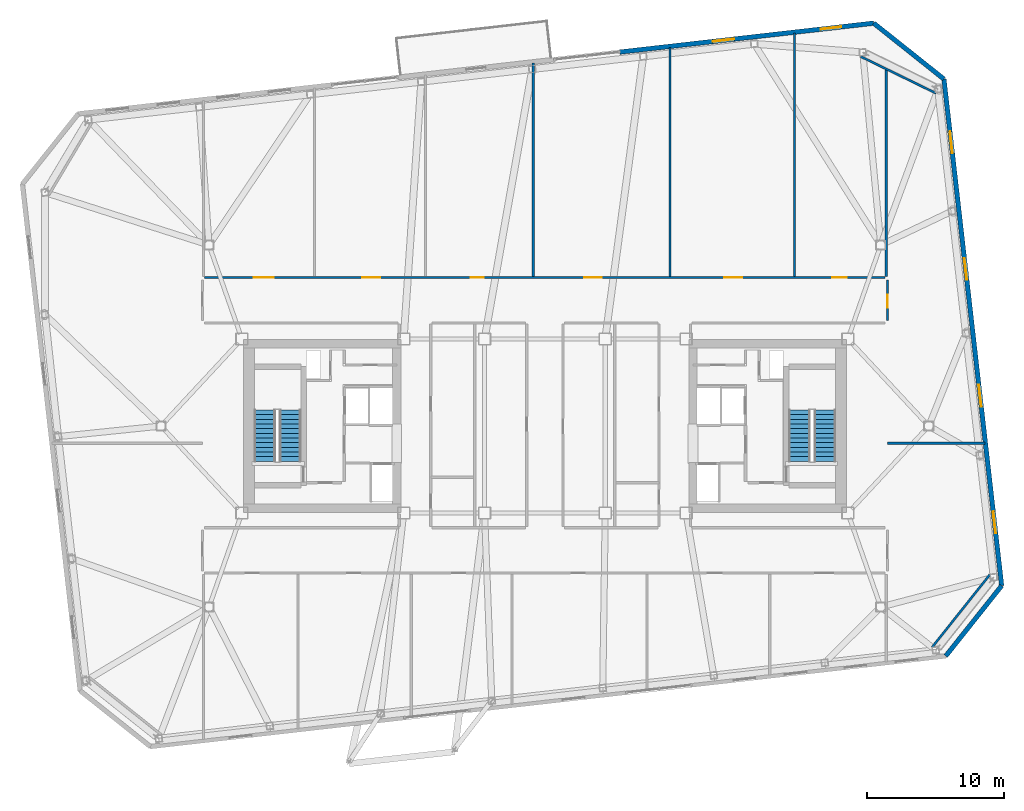
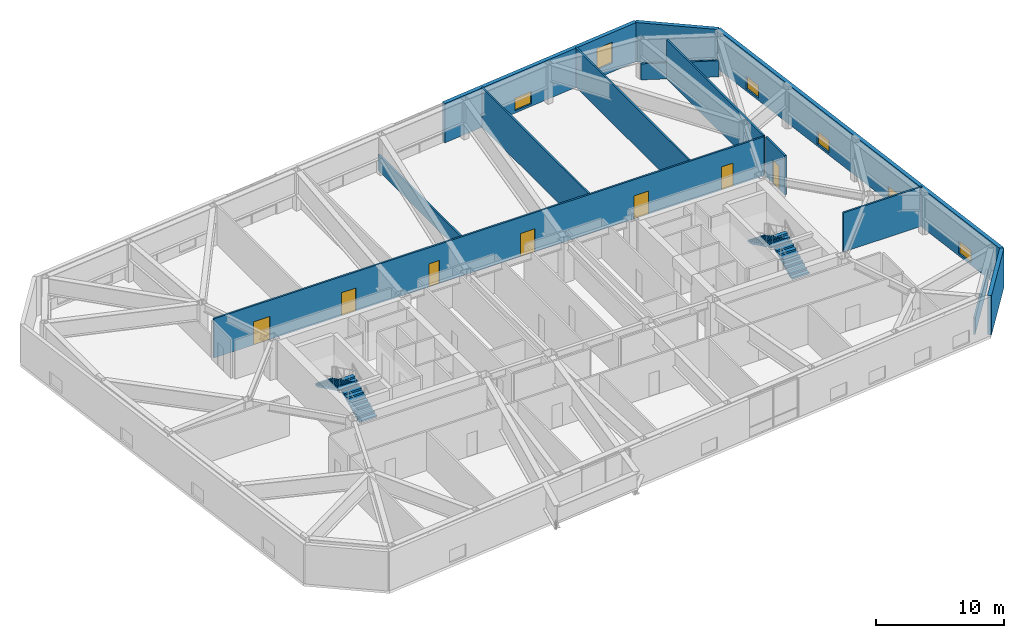
# One storey, part 15 of 20: 13 walls, 7 doors, 6 windows, 4 stair flights, 13 openings, 2 elements without a shape of their own.
"""IFC4 building model written with IfcOpenShell, lengths in metres."""

from ifc_helpers import new_model, si_unit, direction, frame, frame_2d, origin, place, context, subcontext, project, spatial, polyline, rectangle, outline, extrude, material, layer, layer_set, type_object, element, fill, aggregate, save


model = new_model("IFC4")

# Units and contexts
model_context = context("Model", 3, precision=1e-05, world=origin(), true_north=direction((0.0, 1.0)))
body_context = subcontext(model_context, "Body", "Model", "MODEL_VIEW")
ifc_project = project(units=[si_unit("LENGTHUNIT", "METRE"), si_unit("AREAUNIT", "SQUARE_METRE"), si_unit("VOLUMEUNIT", "CUBIC_METRE"), si_unit("PLANEANGLEUNIT", "RADIAN"), si_unit("MASSUNIT", "GRAM", prefix="KILO")], contexts=[model_context])

# Site, building, storey
site_placement = place(None, origin())
site = spatial("IfcSite", under=ifc_project, at=site_placement, CompositionType="ELEMENT")
building_placement = place(site_placement, origin())
building = spatial("IfcBuilding", under=site, at=building_placement, Name="Tavrogorsk Clinical Tower", CompositionType="ELEMENT")
storey_placement = place(building_placement, frame((0.0, 0.0, 214.199951171875)))
storey = spatial("IfcBuildingStorey", under=building, at=storey_placement, Name="L49", CompositionType="ELEMENT", Elevation=214.199951171875)

# Walls
ifc_material_1 = material(Name="Lightweight concrete blockwork B15", Category="masonry")
ifc_layer_1 = layer(ifc_material_1, 0.159912109375)
ifc_layer_set_1 = layer_set([ifc_layer_1], Name="Lightweight concrete blockwork B15")
wall_type_1 = type_object("IfcWallType", Name="PartitionWall_160", PredefinedType="PARTITIONING", material=ifc_layer_set_1)
wall_1_placement = place(storey_placement, frame((28.242431640625, -16.1337890625, 0.0), z_axis=(0.0, 0.0, 1.0), x_axis=(0.622521563328, 0.782602647064, 0.0)))
element("IfcWall", 1, at=wall_1_placement, inside=storey, type_object=wall_type_1, Name="L49 Corner Exoskeleton Brace Furring Wall 1", PredefinedType="PARTITIONING", context=body_context, shape_type="SweptSolid", body=[
    extrude(rectangle(XDim=6.788330078125, YDim=0.159912109375, at=frame_2d((3.39404296875, 0.0))), origin(), (0.0, 0.0, 1.0), 1.53515625),
])
wall_2_placement = place(storey_placement, frame((28.5283203125, 24.27099609375, 0.0), z_axis=(0.0, 0.0, 1.0), x_axis=(-0.898820692789, 0.438316509173, 0.0)))
element("IfcWall", 2, at=wall_2_placement, inside=storey, type_object=wall_type_1, Name="L49 Corner Exoskeleton Brace Furring Wall 2", PredefinedType="PARTITIONING", context=body_context, shape_type="SweptSolid", body=[
    extrude(rectangle(XDim=6.10693359375, YDim=0.159912109375, at=frame_2d((3.053466796875, 0.0))), origin(), (0.0, 0.0, 1.0), 1.53515625),
])

# Wall, openings, doors
wall_3_placement = place(storey_placement, frame((-24.81494140625, 10.830078125, 0.0), z_axis=(0.0, 0.0, 1.0), x_axis=(1.0, 0.0, 0.0)))
wall_3 = element("IfcWall", 3, at=wall_3_placement, inside=storey, type_object=wall_type_1, Name="L49 Corridor Partition 07", PredefinedType="PARTITIONING", context=body_context, shape_type="SweptSolid", body=[
    extrude(rectangle(XDim=49.6298828125, YDim=0.159912109375, at=frame_2d((24.81494140625, 0.0))), origin(), (0.0, 0.0, 1.0), 3.739990234375),
])
opening_1_placement = place(wall_3_placement, frame((3.593994140625, 0.0, 0.0)))
opening_1 = element("IfcOpeningElement", 4, at=opening_1_placement, cuts=wall_3, Name="Opening ID-05", PredefinedType="OPENING", context=body_context, shape_type="SweptSolid", body=[
    extrude(rectangle(XDim=1.449951171875, YDim=2.199951171875, at=frame_2d((0.72509765625, 1.10009765625))), frame((0.0, 0.08984375, 0.0), z_axis=(0.0, -1.0, 0.0), x_axis=(1.0, 0.0, 0.0)), (0.0, 0.0, 1.0), 0.179931640625),
])
opening_2_placement = place(wall_3_placement, frame((11.5, 0.0, 0.0)))
opening_2 = element("IfcOpeningElement", 5, at=opening_2_placement, cuts=wall_3, Name="Opening ID-01", PredefinedType="OPENING", context=body_context, shape_type="SweptSolid", body=[
    extrude(rectangle(XDim=1.300048828125, YDim=2.199951171875, at=frame_2d((0.64990234375, 1.10009765625))), frame((0.0, 0.08984375, 0.0), z_axis=(0.0, -1.0, 0.0), x_axis=(1.0, 0.0, 0.0)), (0.0, 0.0, 1.0), 0.179931640625),
])
opening_3_placement = place(wall_3_placement, frame((19.409912109375, 0.0, 0.0)))
opening_3 = element("IfcOpeningElement", 6, at=opening_3_placement, cuts=wall_3, Name="Opening ID-02", PredefinedType="OPENING", context=body_context, shape_type="SweptSolid", body=[
    extrude(rectangle(XDim=0.949951171875, YDim=2.199951171875, at=frame_2d((0.47509765625, 1.10009765625))), frame((0.0, 0.08984375, 0.0), z_axis=(0.0, -1.0, 0.0), x_axis=(1.0, 0.0, 0.0)), (0.0, 0.0, 1.0), 0.179931640625),
])
opening_4_placement = place(wall_3_placement, frame((27.66748046875, 0.0, 0.0)))
opening_4 = element("IfcOpeningElement", 7, at=opening_4_placement, cuts=wall_3, Name="Opening ID-01", PredefinedType="OPENING", context=body_context, shape_type="SweptSolid", body=[
    extrude(rectangle(XDim=1.300048828125, YDim=2.199951171875, at=frame_2d((0.64990234375, 1.10009765625))), frame((0.0, 0.08984375, 0.0), z_axis=(0.0, -1.0, 0.0), x_axis=(1.0, 0.0, 0.0)), (0.0, 0.0, 1.0), 0.179931640625),
])
opening_5_placement = place(wall_3_placement, frame((37.91259765625, 0.0, 0.0)))
opening_5 = element("IfcOpeningElement", 8, at=opening_5_placement, cuts=wall_3, Name="Opening ID-01", PredefinedType="OPENING", context=body_context, shape_type="SweptSolid", body=[
    extrude(rectangle(XDim=1.300048828125, YDim=2.199951171875, at=frame_2d((0.64990234375, 1.10009765625))), frame((0.0, 0.08984375, 0.0), z_axis=(0.0, -1.0, 0.0), x_axis=(1.0, 0.0, 0.0)), (0.0, 0.0, 1.0), 0.179931640625),
])
opening_6_placement = place(wall_3_placement, frame((45.781005859375, 0.0, 0.0)))
opening_6 = element("IfcOpeningElement", 9, at=opening_6_placement, cuts=wall_3, Name="Opening ID-04", PredefinedType="OPENING", context=body_context, shape_type="SweptSolid", body=[
    extrude(rectangle(XDim=1.050048828125, YDim=2.199951171875, at=frame_2d((0.52490234375, 1.10009765625))), frame((0.0, 0.08984375, 0.0), z_axis=(0.0, -1.0, 0.0), x_axis=(1.0, 0.0, 0.0)), (0.0, 0.0, 1.0), 0.179931640625),
])
ifc_material_2 = material(Name="Antibacterial HPL consultation door on aluminium frame", Category="aluminium")
door_type_1 = type_object("IfcDoorType", Name="ConsultDoor_ID04_1050", OperationType="NOTDEFINED", PredefinedType="DOOR", material=ifc_material_2)
door_1_placement = place(opening_6_placement, origin())
door_1 = element("IfcDoor", 10, at=door_1_placement, inside=storey, type_object=door_type_1, Name="L49 North Clinical Examination Suite 05 Door", OperationType="SINGLE_SWING_RIGHT", OverallHeight=2.199951171875, OverallWidth=1.050048828125, PredefinedType="DOOR", context=body_context, shape_type="SweptSolid", body=[
    extrude(rectangle(XDim=1.050048828125, YDim=2.199951171875, at=frame_2d((0.52490234375, 1.10009765625))), frame((0.0, 0.02490234375, 0.0), z_axis=(0.0, -1.0, 0.0), x_axis=(1.0, 0.0, 0.0)), (0.0, 0.0, 1.0), 0.050048828125),
])
fill(opening_6, door_1)
ifc_material_3 = material(Name="Antibacterial HPL bariatric ward double door")
door_type_2 = type_object("IfcDoorType", Name="DoubleWardDoor_ID05_1450", OperationType="DOUBLE_SWING_LEFT", PredefinedType="DOOR", material=ifc_material_3)
door_2_placement = place(opening_1_placement, origin())
door_2 = element("IfcDoor", 11, at=door_2_placement, inside=storey, type_object=door_type_2, Name="L49 North Acute Isolation Suite 01 Door", OperationType="DOUBLE_SWING_LEFT", OverallHeight=2.199951171875, OverallWidth=1.449951171875, PredefinedType="DOOR", context=body_context, shape_type="SweptSolid", body=[
    extrude(rectangle(XDim=1.449951171875, YDim=2.199951171875, at=frame_2d((0.72509765625, 1.10009765625))), frame((0.0, 0.02490234375, 0.0), z_axis=(0.0, -1.0, 0.0), x_axis=(1.0, 0.0, 0.0)), (0.0, 0.0, 1.0), 0.050048828125),
])
fill(opening_1, door_2)
ifc_material_4 = material(Name="Laminated timber leaf on aluminium frame", Category="wood")
door_type_3 = type_object("IfcDoorType", Name="InteriorDoor_ID02_950", OperationType="NOTDEFINED", PredefinedType="DOOR", material=ifc_material_4)
door_3_placement = place(opening_3_placement, origin())
door_3 = element("IfcDoor", 12, at=door_3_placement, inside=storey, type_object=door_type_3, Name="L49 Terrace Recuperation Day Room & Lounge Door", OperationType="SINGLE_SWING_LEFT", OverallHeight=2.199951171875, OverallWidth=0.949951171875, PredefinedType="DOOR", context=body_context, shape_type="SweptSolid", body=[
    extrude(rectangle(XDim=0.949951171875, YDim=2.199951171875, at=frame_2d((0.47509765625, 1.10009765625))), frame((0.0, 0.02490234375, 0.0), z_axis=(0.0, -1.0, 0.0), x_axis=(1.0, 0.0, 0.0)), (0.0, 0.0, 1.0), 0.050048828125),
])
fill(opening_3, door_3)
ifc_material_5 = material(Name="Antibacterial HPL medical leaf on aluminium frame", Category="aluminium")
door_type_4 = type_object("IfcDoorType", Name="WardBedDoor_ID01_1300", OperationType="NOTDEFINED", PredefinedType="DOOR", material=ifc_material_5)
door_4_placement = place(opening_2_placement, origin())
door_4 = element("IfcDoor", 13, at=door_4_placement, inside=storey, type_object=door_type_4, Name="L49 North Sub-Acute Recovery Ward 02 Door", OperationType="SINGLE_SWING_RIGHT", OverallHeight=2.199951171875, OverallWidth=1.300048828125, PredefinedType="DOOR", context=body_context, shape_type="SweptSolid", body=[
    extrude(rectangle(XDim=1.300048828125, YDim=2.199951171875, at=frame_2d((0.64990234375, 1.10009765625))), frame((0.0, 0.02490234375, 0.0), z_axis=(0.0, -1.0, 0.0), x_axis=(1.0, 0.0, 0.0)), (0.0, 0.0, 1.0), 0.050048828125),
])
fill(opening_2, door_4)
door_5_placement = place(opening_4_placement, origin())
door_5 = element("IfcDoor", 14, at=door_5_placement, inside=storey, type_object=door_type_4, Name="L49 North Inpatient Clinical Ward 04A Door", OperationType="SINGLE_SWING_RIGHT", OverallHeight=2.199951171875, OverallWidth=1.300048828125, PredefinedType="DOOR", context=body_context, shape_type="SweptSolid", body=[
    extrude(rectangle(XDim=1.300048828125, YDim=2.199951171875, at=frame_2d((0.64990234375, 1.10009765625))), frame((0.0, 0.02490234375, 0.0), z_axis=(0.0, -1.0, 0.0), x_axis=(1.0, 0.0, 0.0)), (0.0, 0.0, 1.0), 0.050048828125),
])
fill(opening_4, door_5)
door_6_placement = place(opening_5_placement, origin())
door_6 = element("IfcDoor", 15, at=door_6_placement, inside=storey, type_object=door_type_4, Name="L49 North Acute Isolation Suite 04B Door", OperationType="SINGLE_SWING_LEFT", OverallHeight=2.199951171875, OverallWidth=1.300048828125, PredefinedType="DOOR", context=body_context, shape_type="SweptSolid", body=[
    extrude(rectangle(XDim=1.300048828125, YDim=2.199951171875, at=frame_2d((0.64990234375, 1.10009765625))), frame((0.0, 0.02490234375, 0.0), z_axis=(0.0, -1.0, 0.0), x_axis=(1.0, 0.0, 0.0)), (0.0, 0.0, 1.0), 0.050048828125),
])
fill(opening_5, door_6)

# Wall, opening, door
wall_4_placement = place(storey_placement, frame((24.97998046875, 10.6650390625, 0.0), z_axis=(0.0, 0.0, 1.0), x_axis=(0.0, -1.0, 0.0)))
wall_4 = element("IfcWall", 16, at=wall_4_placement, inside=storey, type_object=wall_type_1, Name="L49 Corridor Partition 08", PredefinedType="PARTITIONING", context=body_context, shape_type="SweptSolid", body=[
    extrude(rectangle(XDim=2.97998046875, YDim=0.159912109375, at=frame_2d((1.489990234375, 0.0))), origin(), (0.0, 0.0, 1.0), 3.739990234375),
])
opening_7_placement = place(wall_4_placement, frame((1.10009765625, 0.0, 0.0)))
opening_7 = element("IfcOpeningElement", 17, at=opening_7_placement, cuts=wall_4, Name="Opening ID-02", PredefinedType="OPENING", context=body_context, shape_type="SweptSolid", body=[
    extrude(rectangle(XDim=0.949951171875, YDim=2.199951171875, at=frame_2d((0.47509765625, 1.10009765625))), frame((0.0, 0.08984375, 0.0), z_axis=(0.0, -1.0, 0.0), x_axis=(1.0, 0.0, 0.0)), (0.0, 0.0, 1.0), 0.179931640625),
])
door_7_placement = place(opening_7_placement, origin())
door_7 = element("IfcDoor", 18, at=door_7_placement, inside=storey, type_object=door_type_3, Name="L49 E Multidisciplinary Seminar Suite 2 Door", OperationType="SINGLE_SWING_RIGHT", OverallHeight=2.199951171875, OverallWidth=0.949951171875, PredefinedType="DOOR", context=body_context, shape_type="SweptSolid", body=[
    extrude(rectangle(XDim=0.949951171875, YDim=2.199951171875, at=frame_2d((0.47509765625, 1.10009765625))), frame((0.0, 0.02490234375, 0.0), z_axis=(0.0, -1.0, 0.0), x_axis=(1.0, 0.0, 0.0)), (0.0, 0.0, 1.0), 0.050048828125),
])
fill(opening_7, door_7)

# Walls
wall_5_placement = place(storey_placement, frame((24.89990234375, 10.9150390625, 0.0), z_axis=(0.0, 0.0, 1.0), x_axis=(0.0, 1.0, 0.0)))
element("IfcWall", 19, at=wall_5_placement, inside=storey, type_object=wall_type_1, Name="L49 NE Wing Closure Partition", PredefinedType="PARTITIONING", context=body_context, shape_type="SweptSolid", body=[
    extrude(rectangle(XDim=15.12939453125, YDim=0.159912109375, at=frame_2d((7.564697265625, 0.0))), origin(), (0.0, 0.0, 1.0), 3.739990234375),
])
wall_6_placement = place(storey_placement, frame((-0.85009765625, 10.9150390625, 0.0), z_axis=(0.0, 0.0, 1.0), x_axis=(0.0, 1.0, 0.0)))
element("IfcWall", 20, at=wall_6_placement, inside=storey, type_object=wall_type_1, Name="L49 North Room Partition 3", PredefinedType="PARTITIONING", context=body_context, shape_type="SweptSolid", body=[
    extrude(rectangle(XDim=15.5712890625, YDim=0.159912109375, at=frame_2d((7.78564453125, 0.0))), origin(), (0.0, 0.0, 1.0), 1.53515625),
])
wall_7_placement = place(storey_placement, frame((18.199951171875, 10.9150390625, 0.0), z_axis=(0.0, 0.0, 1.0), x_axis=(0.0, 1.0, 0.0)))
element("IfcWall", 21, at=wall_7_placement, inside=storey, type_object=wall_type_1, Name="L49 North Room Partition 4", PredefinedType="PARTITIONING", context=body_context, shape_type="SweptSolid", body=[
    extrude(rectangle(XDim=17.741943359375, YDim=0.159912109375, at=frame_2d((8.87109375, 0.0))), origin(), (0.0, 0.0, 1.0), 3.739990234375),
])
wall_8_placement = place(storey_placement, frame((9.125, 10.9150390625, 0.0), z_axis=(0.0, 0.0, 1.0), x_axis=(0.0, 1.0, 0.0)))
element("IfcWall", 22, at=wall_8_placement, inside=storey, type_object=wall_type_1, Name="L49 North Sub-Partition 4", PredefinedType="PARTITIONING", context=body_context, shape_type="SweptSolid", body=[
    extrude(rectangle(XDim=16.707763671875, YDim=0.159912109375, at=frame_2d((8.35400390625, 0.0))), origin(), (0.0, 0.0, 1.0), 3.739990234375),
])
wall_9_placement = place(storey_placement, frame((24.97998046875, -1.25, 0.0), z_axis=(0.0, 0.0, 1.0), x_axis=(1.0, 0.0, 0.0)))
element("IfcWall", 23, at=wall_9_placement, inside=storey, type_object=wall_type_1, Name="L49 E Wing Divider 1", PredefinedType="PARTITIONING", context=body_context, shape_type="SweptSolid", body=[
    extrude(rectangle(XDim=7.133056640625, YDim=0.159912109375, at=frame_2d((3.56640625, 0.0))), origin(), (0.0, 0.0, 1.0), 3.739990234375),
])

# Wall, openings, windows
ifc_material_6 = material(Name="Precast concrete B45 with limestone cladding", Category="masonry")
ifc_layer_2 = layer(ifc_material_6, 0.340087890625)
ifc_layer_set_2 = layer_set([ifc_layer_2], Name="Precast concrete B45 with limestone cladding")
wall_type_2 = type_object("IfcWallType", Name="PrecastLimestoneWall_340", PredefinedType="STANDARD", material=ifc_layer_set_2)
wall_10_placement = place(storey_placement, frame((23.982666015625, 29.38623046875, 0.0), z_axis=(0.0, 0.0, 1.0), x_axis=(-0.993572271362, -0.113199565282, 0.0)))
wall_10 = element("IfcWall", 24, at=wall_10_placement, inside=storey, type_object=wall_type_2, Name="L49 N Limestone Facade Wall 1", PredefinedType="STANDARD", context=body_context, shape_type="SweptSolid", body=[
    extrude(rectangle(XDim=18.6513671875, YDim=0.340087890625, at=frame_2d((9.32568359375, 0.0))), origin(), (0.0, 0.0, 1.0), 3.739990234375),
])
opening_8_placement = place(wall_10_placement, frame((10.228759765625, 0.0, 0.219970703125)))
opening_8 = element("IfcOpeningElement", 25, at=opening_8_placement, cuts=wall_10, Name="Opening WN-09", PredefinedType="OPENING", context=body_context, shape_type="SweptSolid", body=[
    extrude(rectangle(XDim=1.60009765625, YDim=1.199951171875, at=frame_2d((0.800048828125, 0.60009765625))), frame((0.0, 0.179931640625, 0.0), z_axis=(0.0, -1.0, 0.0), x_axis=(1.0, 0.0, 0.0)), (0.0, 0.0, 1.0), 0.360107421875),
])
opening_9_placement = place(wall_10_placement, frame((2.385986328125, 0.0, 0.830078125)))
opening_9 = element("IfcOpeningElement", 26, at=opening_9_placement, cuts=wall_10, Name="Opening WN-05", PredefinedType="OPENING", context=body_context, shape_type="SweptSolid", body=[
    extrude(rectangle(XDim=1.5, YDim=2.0, at=frame_2d((0.75, 1.0))), frame((0.0, 0.179931640625, 0.0), z_axis=(0.0, -1.0, 0.0), x_axis=(1.0, 0.0, 0.0)), (0.0, 0.0, 1.0), 0.360107421875),
])
ifc_material_7 = material(Name="Thermally broken aluminium frame and triple IGU", Category="aluminium")
window_type_1 = type_object("IfcWindowType", Name="ConsultWin_1500x2000", PartitioningType="SINGLE_PANEL", PredefinedType="WINDOW", material=ifc_material_7)
window_1_placement = place(opening_9_placement, origin())
window_1 = element("IfcWindow", 27, at=window_1_placement, inside=storey, type_object=window_type_1, Name="L49 N Chicago Window 10", OverallHeight=2.0, OverallWidth=1.5, PartitioningType="SINGLE_PANEL", PredefinedType="WINDOW", context=body_context, shape_type="SweptSolid", body=[
    extrude(rectangle(XDim=1.5, YDim=2.0, at=frame_2d((0.75, 1.0))), frame((0.0, 0.030029296875, 0.0), z_axis=(0.0, -1.0, 0.0), x_axis=(1.0, 0.0, 0.0)), (0.0, 0.0, 1.0), 0.06005859375),
])
fill(opening_9, window_1)
ifc_material_8 = material(Name="Thermally broken aluminium frame and triple IGU", Category="aluminium")
window_type_2 = type_object("IfcWindowType", Name="LowHeadTransWin_1600x1200", PartitioningType="DOUBLE_PANEL_VERTICAL", PredefinedType="WINDOW", material=ifc_material_8)
window_2_placement = place(opening_8_placement, origin())
window_2 = element("IfcWindow", 28, at=window_2_placement, inside=storey, type_object=window_type_2, Name="L49 N Chicago Window 08", OverallHeight=1.199951171875, OverallWidth=1.60009765625, PartitioningType="SINGLE_PANEL", PredefinedType="WINDOW", context=body_context, shape_type="SweptSolid", body=[
    extrude(rectangle(XDim=1.60009765625, YDim=1.199951171875, at=frame_2d((0.800048828125, 0.60009765625))), frame((0.0, 0.030029296875, 0.0), z_axis=(0.0, -1.0, 0.0), x_axis=(1.0, 0.0, 0.0)), (0.0, 0.0, 1.0), 0.06005859375),
])
fill(opening_8, window_2)

wall_11_placement = place(storey_placement, frame((33.318115234375, -11.65087890625, 0.0), z_axis=(0.0, 0.0, 1.0), x_axis=(-0.11320360501, 0.9935718111, 0.0)))
wall_11 = element("IfcWall", 29, at=wall_11_placement, inside=storey, type_object=wall_type_2, Name="L49 E Pleated Limestone Wing Wall", PredefinedType="STANDARD", context=body_context, shape_type="SweptSolid", body=[
    extrude(rectangle(XDim=37.199951171875, YDim=0.340087890625, at=frame_2d((18.60009765625, 0.0))), origin(), (0.0, 0.0, 1.0), 3.739990234375),
])
opening_10_placement = place(wall_11_placement, frame((3.85009765625, 0.0, 0.219970703125)))
opening_10 = element("IfcOpeningElement", 30, at=opening_10_placement, cuts=wall_11, Name="Opening WN-09", PredefinedType="OPENING", context=body_context, shape_type="SweptSolid", body=[
    extrude(rectangle(XDim=1.60009765625, YDim=1.199951171875, at=frame_2d((0.800048828125, 0.60009765625))), frame((0.0, 0.179931640625, 0.0), z_axis=(0.0, -1.0, 0.0), x_axis=(1.0, 0.0, 0.0)), (0.0, 0.0, 1.0), 0.360107421875),
])
opening_11_placement = place(wall_11_placement, frame((13.14990234375, 0.0, 0.219970703125)))
opening_11 = element("IfcOpeningElement", 31, at=opening_11_placement, cuts=wall_11, Name="Opening WN-09", PredefinedType="OPENING", context=body_context, shape_type="SweptSolid", body=[
    extrude(rectangle(XDim=1.60009765625, YDim=1.199951171875, at=frame_2d((0.800048828125, 0.60009765625))), frame((0.0, 0.179931640625, 0.0), z_axis=(0.0, -1.0, 0.0), x_axis=(1.0, 0.0, 0.0)), (0.0, 0.0, 1.0), 0.360107421875),
])
opening_12_placement = place(wall_11_placement, frame((22.449951171875, 0.0, 0.219970703125)))
opening_12 = element("IfcOpeningElement", 32, at=opening_12_placement, cuts=wall_11, Name="Opening WN-09", PredefinedType="OPENING", context=body_context, shape_type="SweptSolid", body=[
    extrude(rectangle(XDim=1.60009765625, YDim=1.199951171875, at=frame_2d((0.800048828125, 0.60009765625))), frame((0.0, 0.179931640625, 0.0), z_axis=(0.0, -1.0, 0.0), x_axis=(1.0, 0.0, 0.0)), (0.0, 0.0, 1.0), 0.360107421875),
])
opening_13_placement = place(wall_11_placement, frame((31.75, 0.0, 0.219970703125)))
opening_13 = element("IfcOpeningElement", 33, at=opening_13_placement, cuts=wall_11, Name="Opening WN-09", PredefinedType="OPENING", context=body_context, shape_type="SweptSolid", body=[
    extrude(rectangle(XDim=1.60009765625, YDim=1.199951171875, at=frame_2d((0.800048828125, 0.60009765625))), frame((0.0, 0.179931640625, 0.0), z_axis=(0.0, -1.0, 0.0), x_axis=(1.0, 0.0, 0.0)), (0.0, 0.0, 1.0), 0.360107421875),
])
window_3_placement = place(opening_10_placement, origin())
window_3 = element("IfcWindow", 34, at=window_3_placement, inside=storey, type_object=window_type_2, Name="L49 E Pleat Slot Window 1", OverallHeight=1.199951171875, OverallWidth=1.60009765625, PartitioningType="SINGLE_PANEL", PredefinedType="WINDOW", context=body_context, shape_type="SweptSolid", body=[
    extrude(rectangle(XDim=1.60009765625, YDim=1.199951171875, at=frame_2d((0.800048828125, 0.60009765625))), frame((0.0, 0.030029296875, 0.0), z_axis=(0.0, -1.0, 0.0), x_axis=(1.0, 0.0, 0.0)), (0.0, 0.0, 1.0), 0.06005859375),
])
fill(opening_10, window_3)
window_4_placement = place(opening_11_placement, origin())
window_4 = element("IfcWindow", 35, at=window_4_placement, inside=storey, type_object=window_type_2, Name="L49 E Pleat Slot Window 2", OverallHeight=1.199951171875, OverallWidth=1.60009765625, PartitioningType="SINGLE_PANEL", PredefinedType="WINDOW", context=body_context, shape_type="SweptSolid", body=[
    extrude(rectangle(XDim=1.60009765625, YDim=1.199951171875, at=frame_2d((0.800048828125, 0.60009765625))), frame((0.0, 0.030029296875, 0.0), z_axis=(0.0, -1.0, 0.0), x_axis=(1.0, 0.0, 0.0)), (0.0, 0.0, 1.0), 0.06005859375),
])
fill(opening_11, window_4)
window_5_placement = place(opening_12_placement, origin())
window_5 = element("IfcWindow", 36, at=window_5_placement, inside=storey, type_object=window_type_2, Name="L49 E Pleat Slot Window 3", OverallHeight=1.199951171875, OverallWidth=1.60009765625, PartitioningType="SINGLE_PANEL", PredefinedType="WINDOW", context=body_context, shape_type="SweptSolid", body=[
    extrude(rectangle(XDim=1.60009765625, YDim=1.199951171875, at=frame_2d((0.800048828125, 0.60009765625))), frame((0.0, 0.030029296875, 0.0), z_axis=(0.0, -1.0, 0.0), x_axis=(1.0, 0.0, 0.0)), (0.0, 0.0, 1.0), 0.06005859375),
])
fill(opening_12, window_5)
window_6_placement = place(opening_13_placement, origin())
window_6 = element("IfcWindow", 37, at=window_6_placement, inside=storey, type_object=window_type_2, Name="L49 E Pleat Slot Window 4", OverallHeight=1.199951171875, OverallWidth=1.60009765625, PartitioningType="SINGLE_PANEL", PredefinedType="WINDOW", context=body_context, shape_type="SweptSolid", body=[
    extrude(rectangle(XDim=1.60009765625, YDim=1.199951171875, at=frame_2d((0.800048828125, 0.60009765625))), frame((0.0, 0.030029296875, 0.0), z_axis=(0.0, -1.0, 0.0), x_axis=(1.0, 0.0, 0.0)), (0.0, 0.0, 1.0), 0.06005859375),
])
fill(opening_13, window_6)

# Walls
for number, where, z_axis, x_axis, name in (
    (38, (29.241943359375, -16.775146484375, 0.0), (0.0, 0.0, 1.0), (0.62252823689, 0.78259733853, 0.0), "L49 Chamfered Corner Wall 1"),
    (39, (29.10693359375, 25.31005859375, 0.0), (0.0, 0.0, 1.0), (-0.78259733853, 0.62252823689, 0.0), "L49 Chamfered Corner Wall 2"),
):
    element("IfcWall", number, at=place(storey_placement, frame(where, z_axis=z_axis, x_axis=x_axis)), inside=storey, type_object=wall_type_2, Name=name, PredefinedType="STANDARD", context=body_context, shape_type="SweptSolid", body=[
        extrude(rectangle(XDim=6.5478515625, YDim=0.340087890625, at=frame_2d((3.27392578125, 0.0))), origin(), (0.0, 0.0, 1.0), 3.739990234375),
    ])

# Stair, stair flights
ifc_material_9 = material(Name="Concrete B60", Category="concrete")
stair_type = type_object("IfcStairType", Name="CoreStairAssembly", PredefinedType="HALF_TURN_STAIR", material=ifc_material_9)
stair_1_placement = place(storey_placement, origin())
stair_1 = element("IfcStair", 40, at=stair_1_placement, inside=storey, type_object=stair_type, Name="L49 ST-W", PredefinedType="HALF_TURN_STAIR")
ifc_material_10 = material(Name="Concrete B60", Category="concrete")
stair_flight_type = type_object("IfcStairFlightType", Name="CoreStairFlight", PredefinedType="STRAIGHT", material=ifc_material_10)
stair_flight_1_placement = place(storey_placement, frame((-18.574951171875, -2.574951171875, 0.0), z_axis=(0.0, 0.0, 1.0), x_axis=(0.0, 1.0, 0.0)))
stair_flight_1 = element("IfcStairFlight", 41, at=stair_flight_1_placement, type_object=stair_flight_type, Name="ST-W flight 1", NumberOfRisers=12, NumberOfTreads=11, PredefinedType="STRAIGHT", RiserHeight=0.166666667, TreadLength=0.34, context=body_context, shape_type="SweptSolid", body=[
    extrude(outline(polyline([(0.0, 0.0), (0.0, 0.166748046875), (0.340087890625, 0.166748046875), (0.340087890625, 0.333251953125), (0.679931640625, 0.333251953125), (0.679931640625, 0.5), (1.02001953125, 0.5), (1.02001953125, 0.666748046875), (1.360107421875, 0.666748046875), (1.360107421875, 0.833251953125), (1.699951171875, 0.833251953125), (1.699951171875, 1.0), (2.0400390625, 1.0), (2.0400390625, 1.166748046875), (2.3798828125, 1.166748046875), (2.3798828125, 1.333251953125), (2.719970703125, 1.333251953125), (2.719970703125, 1.5), (3.06005859375, 1.5), (3.06005859375, 1.666748046875), (3.39990234375, 1.666748046875), (3.39990234375, 1.833251953125), (3.739990234375, 1.833251953125), (3.739990234375, 2.0), (3.739990234375, 1.66650390625), (0.340576171875, 0.0), (0.0, 0.0)])), frame((0.0, 0.77490234375, 0.0), z_axis=(0.0, -1.0, 0.0), x_axis=(1.0, 0.0, 0.0)), (0.0, 0.0, 1.0), 1.550048828125),
])
stair_flight_2_placement = place(storey_placement, frame((-20.425048828125, 1.1650390625, 2.0), z_axis=(0.0, 0.0, 1.0), x_axis=(0.0, -1.0, 0.0)))
stair_flight_2 = element("IfcStairFlight", 42, at=stair_flight_2_placement, type_object=stair_flight_type, Name="ST-W flight 2", NumberOfRisers=12, NumberOfTreads=11, PredefinedType="STRAIGHT", RiserHeight=0.166666667, TreadLength=0.34, context=body_context, shape_type="SweptSolid", body=[
    extrude(outline(polyline([(0.0, 0.0), (0.0, 0.166748046875), (0.340087890625, 0.166748046875), (0.340087890625, 0.333251953125), (0.679931640625, 0.333251953125), (0.679931640625, 0.5), (1.02001953125, 0.5), (1.02001953125, 0.666748046875), (1.360107421875, 0.666748046875), (1.360107421875, 0.833251953125), (1.699951171875, 0.833251953125), (1.699951171875, 1.0), (2.0400390625, 1.0), (2.0400390625, 1.166748046875), (2.3798828125, 1.166748046875), (2.3798828125, 1.333251953125), (2.719970703125, 1.333251953125), (2.719970703125, 1.5), (3.06005859375, 1.5), (3.06005859375, 1.666748046875), (3.39990234375, 1.666748046875), (3.39990234375, 1.833251953125), (3.739990234375, 1.833251953125), (3.739990234375, 2.0), (3.739990234375, 1.66650390625), (0.340576171875, 0.0), (0.0, 0.0)])), frame((0.0, 0.77490234375, 0.0), z_axis=(0.0, -1.0, 0.0), x_axis=(1.0, 0.0, 0.0)), (0.0, 0.0, 1.0), 1.550048828125),
])
aggregate(stair_1, [stair_flight_1, stair_flight_2])

stair_2_placement = place(storey_placement, origin())
stair_2 = element("IfcStair", 43, at=stair_2_placement, inside=storey, type_object=stair_type, Name="L49 ST-E", PredefinedType="HALF_TURN_STAIR")
stair_flight_3_placement = place(storey_placement, frame((20.425048828125, -2.574951171875, 0.0), z_axis=(0.0, 0.0, 1.0), x_axis=(0.0, 1.0, 0.0)))
stair_flight_3 = element("IfcStairFlight", 44, at=stair_flight_3_placement, type_object=stair_flight_type, Name="ST-E flight 1", NumberOfRisers=12, NumberOfTreads=11, PredefinedType="STRAIGHT", RiserHeight=0.166666667, TreadLength=0.34, context=body_context, shape_type="SweptSolid", body=[
    extrude(outline(polyline([(0.0, 0.0), (0.0, 0.166748046875), (0.340087890625, 0.166748046875), (0.340087890625, 0.333251953125), (0.679931640625, 0.333251953125), (0.679931640625, 0.5), (1.02001953125, 0.5), (1.02001953125, 0.666748046875), (1.360107421875, 0.666748046875), (1.360107421875, 0.833251953125), (1.699951171875, 0.833251953125), (1.699951171875, 1.0), (2.0400390625, 1.0), (2.0400390625, 1.166748046875), (2.3798828125, 1.166748046875), (2.3798828125, 1.333251953125), (2.719970703125, 1.333251953125), (2.719970703125, 1.5), (3.06005859375, 1.5), (3.06005859375, 1.666748046875), (3.39990234375, 1.666748046875), (3.39990234375, 1.833251953125), (3.739990234375, 1.833251953125), (3.739990234375, 2.0), (3.739990234375, 1.66650390625), (0.340576171875, 0.0), (0.0, 0.0)])), frame((0.0, 0.77490234375, 0.0), z_axis=(0.0, -1.0, 0.0), x_axis=(1.0, 0.0, 0.0)), (0.0, 0.0, 1.0), 1.550048828125),
])
stair_flight_4_placement = place(storey_placement, frame((18.574951171875, 1.1650390625, 2.0), z_axis=(0.0, 0.0, 1.0), x_axis=(0.0, -1.0, 0.0)))
stair_flight_4 = element("IfcStairFlight", 45, at=stair_flight_4_placement, type_object=stair_flight_type, Name="ST-E flight 2", NumberOfRisers=12, NumberOfTreads=11, PredefinedType="STRAIGHT", RiserHeight=0.166666667, TreadLength=0.34, context=body_context, shape_type="SweptSolid", body=[
    extrude(outline(polyline([(0.0, 0.0), (0.0, 0.166748046875), (0.340087890625, 0.166748046875), (0.340087890625, 0.333251953125), (0.679931640625, 0.333251953125), (0.679931640625, 0.5), (1.02001953125, 0.5), (1.02001953125, 0.666748046875), (1.360107421875, 0.666748046875), (1.360107421875, 0.833251953125), (1.699951171875, 0.833251953125), (1.699951171875, 1.0), (2.0400390625, 1.0), (2.0400390625, 1.166748046875), (2.3798828125, 1.166748046875), (2.3798828125, 1.333251953125), (2.719970703125, 1.333251953125), (2.719970703125, 1.5), (3.06005859375, 1.5), (3.06005859375, 1.666748046875), (3.39990234375, 1.666748046875), (3.39990234375, 1.833251953125), (3.739990234375, 1.833251953125), (3.739990234375, 2.0), (3.739990234375, 1.66650390625), (0.340576171875, 0.0), (0.0, 0.0)])), frame((0.0, 0.77490234375, 0.0), z_axis=(0.0, -1.0, 0.0), x_axis=(1.0, 0.0, 0.0)), (0.0, 0.0, 1.0), 1.550048828125),
])
aggregate(stair_2, [stair_flight_3, stair_flight_4])

save(model, "model.ifc")
